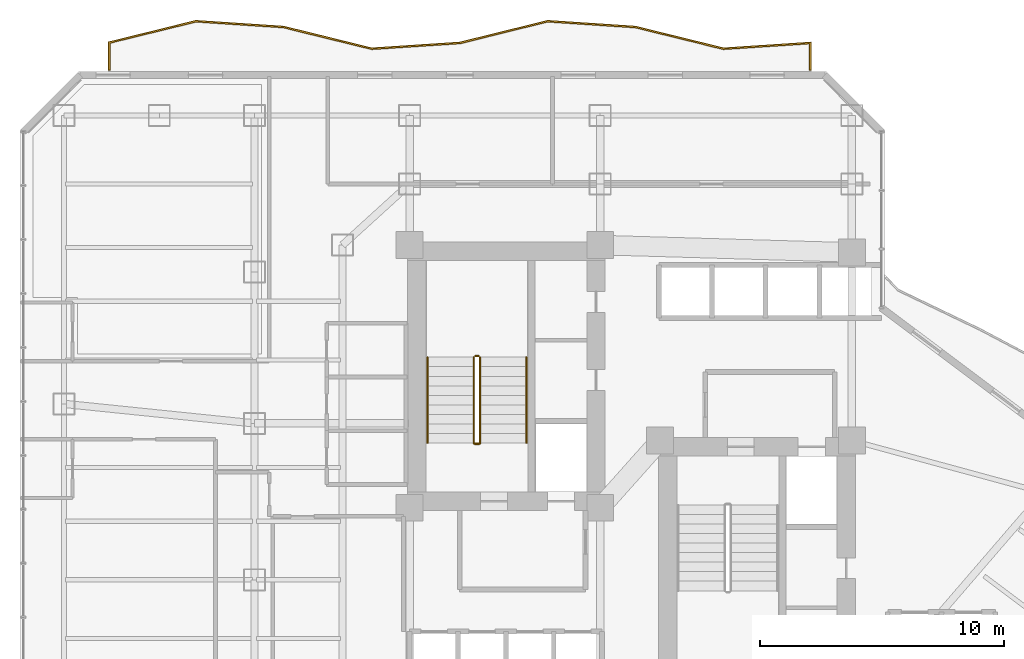
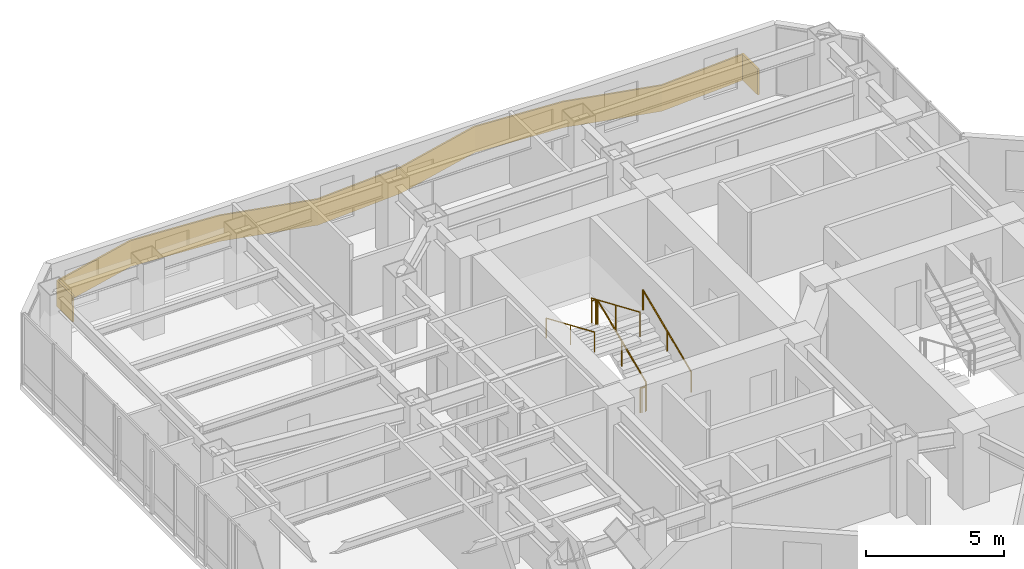
# One storey, part 30 of 31: 8 railings.
"""IFC4 building model written with IfcOpenShell, lengths in metres."""

from ifc_helpers import new_model, si_unit, direction, frame, origin, origin_2d, place, context, subcontext, project, spatial, polyline, circle, outline, extrude, material, layer, layer_set, type_object, element, save


model = new_model("IFC4")

# Units and contexts
model_context = context("Model", 3, precision=1e-05, world=origin(), true_north=direction((0.0, 1.0)))
body_context = subcontext(model_context, "Body", "Model", "MODEL_VIEW")
ifc_project = project(units=[si_unit("LENGTHUNIT", "METRE"), si_unit("AREAUNIT", "SQUARE_METRE"), si_unit("VOLUMEUNIT", "CUBIC_METRE"), si_unit("PLANEANGLEUNIT", "RADIAN"), si_unit("MASSUNIT", "GRAM", prefix="KILO")], contexts=[model_context])

# Site, building, storey
site_placement = place(None, origin())
site = spatial("IfcSite", under=ifc_project, at=site_placement, CompositionType="ELEMENT")
building_placement = place(site_placement, origin())
building = spatial("IfcBuilding", under=site, at=building_placement, Name="Hatsunagi Terrace Concourse", CompositionType="ELEMENT")
storey_placement = place(building_placement, frame((0.0, 0.0, 77.949951171875)))
storey = spatial("IfcBuildingStorey", under=building, at=storey_placement, Name="L20", CompositionType="ELEMENT", Elevation=77.949951171875)

# Railings
ifc_material_1 = material(Name="Laminated Glass and Stainless Steel Guard", Category="steel")
ifc_layer_1 = layer(ifc_material_1, 0.070068359375)
ifc_layer_set_1 = layer_set([ifc_layer_1], Name="BalconyGlassGuardRail_1150")
railing_type_1 = type_object("IfcRailingType", Name="BalconyGlassGuardRail_1150", PredefinedType="BALUSTRADE", material=ifc_layer_set_1)
railing_1_placement = place(storey_placement, origin())
element("IfcRailing", 1, at=railing_1_placement, inside=storey, type_object=railing_type_1, Name="Engawa Balcony Guard GRD-01 L20-BN-1", PredefinedType="BALUSTRADE", context=body_context, shape_type="SweptSolid", body=[
    extrude(outline(polyline([(13.215087890625, 50.449951171875), (13.284912109375, 50.449951171875), (13.284912109375, 51.55859375), (16.80712890625, 52.427734375), (20.38671875, 52.190185546875), (23.992919921875, 51.3017578125), (27.61328125, 51.540283203125), (31.20703125, 52.427734375), (34.78662109375, 52.190185546875), (38.392822265625, 51.3017578125), (41.9150390625, 51.53466796875), (41.9150390625, 50.449951171875), (41.985107421875, 50.449951171875), (41.985107421875, 51.609375), (38.399169921875, 51.372314453125), (34.79736328125, 52.259765625), (31.200927734375, 52.498291015625), (27.6025390625, 51.609619140625), (23.9990234375, 51.372314453125), (20.3974609375, 52.259765625), (16.80078125, 52.498291015625), (13.215087890625, 51.61328125), (13.215087890625, 50.449951171875)])), origin(), (0.0, 0.0, 1.0), 1.150146484375),
])
ifc_material_2 = material(Name="Stainless steel", Category="steel")
ifc_layer_2 = layer(ifc_material_2, 0.044921875)
ifc_layer_set_2 = layer_set([ifc_layer_2], Name="StairPitchHandrail_Tower2000")
railing_type_2 = type_object("IfcRailingType", Name="StairPitchHandrail_Tower2000", PredefinedType="HANDRAIL", material=ifc_layer_set_2)
railing_2_placement = place(storey_placement, frame((30.330078125, 35.199951171875, 0.16748046875)))
element("IfcRailing", 2, at=railing_2_placement, inside=storey, type_object=railing_type_2, Name="L20 ST-A stair handrail 1", PredefinedType="HANDRAIL", context=body_context, shape_type="SweptSolid", body=[
    extrude(circle(Radius=0.02392578125, at=origin_2d()), frame((0.0, 0.0, 0.8759765625), z_axis=(0.0, 0.918834009242, 0.394644223904), x_axis=(-1.0, 0.0, 0.0)), (0.0, 0.0, 1.0), 3.820068359375),
    extrude(circle(Radius=0.02099609375, at=origin_2d()), origin(), (0.0, 0.0, 1.0), 0.851806640625),
    extrude(circle(Radius=0.02099609375, at=origin_2d()), frame((0.0, 1.7548828125, 0.75390625)), (0.0, 0.0, 1.0), 0.851806640625),
    extrude(circle(Radius=0.02099609375, at=origin_2d()), frame((0.0, 3.510009765625, 1.507568359375)), (0.0, 0.0, 1.0), 0.851806640625),
])
railing_3_placement = place(storey_placement, frame((26.280029296875, 38.7099609375, 1.842529296875)))
element("IfcRailing", 3, at=railing_3_placement, inside=storey, type_object=railing_type_2, Name="L20 ST-A stair handrail 2", PredefinedType="HANDRAIL", context=body_context, shape_type="SweptSolid", body=[
    extrude(circle(Radius=0.02392578125, at=origin_2d()), frame((0.0, 0.0, 0.8759765625), z_axis=(0.0, -0.918834009242, 0.394644223904), x_axis=(1.0, 0.0, 0.0)), (0.0, 0.0, 1.0), 3.820068359375),
    extrude(circle(Radius=0.02099609375, at=origin_2d()), origin(), (0.0, 0.0, 1.0), 0.851806640625),
    extrude(circle(Radius=0.02099609375, at=origin_2d()), frame((0.0, -1.7548828125, 0.75390625)), (0.0, 0.0, 1.0), 0.851806640625),
    extrude(circle(Radius=0.02099609375, at=origin_2d()), frame((0.0, -3.510009765625, 1.507568359375)), (0.0, 0.0, 1.0), 0.851806640625),
])
ifc_material_3 = material(Name="Stainless steel", Category="steel")
ifc_layer_3 = layer(ifc_material_3, 0.06005859375)
ifc_layer_set_3 = layer_set([ifc_layer_3], Name="StairWellGuard_Tower2000")
railing_type_3 = type_object("IfcRailingType", Name="StairWellGuard_Tower2000", PredefinedType="BALUSTRADE", material=ifc_layer_set_3)
railing_4_placement = place(storey_placement, frame((28.429931640625, 35.199951171875, 0.16748046875)))
element("IfcRailing", 4, at=railing_4_placement, inside=storey, type_object=railing_type_3, Name="L20 ST-A stair guard 1", PredefinedType="BALUSTRADE", context=body_context, shape_type="SweptSolid", body=[
    extrude(circle(Radius=0.02392578125, at=origin_2d()), frame((0.0, 0.0, 1.09619140625), z_axis=(0.0, 0.918834009242, 0.394644223904), x_axis=(-1.0, 0.0, 0.0)), (0.0, 0.0, 1.0), 3.820068359375),
    extrude(circle(Radius=0.02099609375, at=origin_2d()), origin(), (0.0, 0.0, 1.0), 1.072021484375),
    extrude(circle(Radius=0.02099609375, at=origin_2d()), frame((0.0, 1.7548828125, 0.75390625)), (0.0, 0.0, 1.0), 1.072021484375),
    extrude(circle(Radius=0.02099609375, at=origin_2d()), frame((0.0, 3.510009765625, 1.507568359375)), (0.0, 0.0, 1.0), 1.072021484375),
])
railing_5_placement = place(storey_placement, frame((28.3798828125, 38.760009765625, 1.675048828125)))
element("IfcRailing", 5, at=railing_5_placement, inside=storey, type_object=railing_type_3, Name="L20 ST-A stair guard 2", PredefinedType="BALUSTRADE", context=body_context, shape_type="SweptSolid", body=[
    extrude(circle(Radius=0.02392578125, at=origin_2d()), frame((0.0, 0.0, 1.09619140625), z_axis=(-1.0, 0.0, 0.0), x_axis=(0.0, -1.0, 0.0)), (0.0, 0.0, 1.0), 0.14990234375),
    extrude(circle(Radius=0.02099609375, at=origin_2d()), origin(), (0.0, 0.0, 1.0), 1.072021484375),
    extrude(circle(Radius=0.02099609375, at=origin_2d()), frame((-0.14990234375, 0.0, 0.0)), (0.0, 0.0, 1.0), 1.072021484375),
])
railing_6_placement = place(storey_placement, frame((28.179931640625, 38.7099609375, 1.842529296875)))
element("IfcRailing", 6, at=railing_6_placement, inside=storey, type_object=railing_type_3, Name="L20 ST-A stair guard 3", PredefinedType="BALUSTRADE", context=body_context, shape_type="SweptSolid", body=[
    extrude(circle(Radius=0.02392578125, at=origin_2d()), frame((0.0, 0.0, 1.09619140625), z_axis=(0.0, -0.918834009242, 0.394644223904), x_axis=(1.0, 0.0, 0.0)), (0.0, 0.0, 1.0), 3.820068359375),
    extrude(circle(Radius=0.02099609375, at=origin_2d()), origin(), (0.0, 0.0, 1.0), 1.072021484375),
    extrude(circle(Radius=0.02099609375, at=origin_2d()), frame((0.0, -1.7548828125, 0.75390625)), (0.0, 0.0, 1.0), 1.072021484375),
    extrude(circle(Radius=0.02099609375, at=origin_2d()), frame((0.0, -3.510009765625, 1.507568359375)), (0.0, 0.0, 1.0), 1.072021484375),
])
railing_7_placement = place(storey_placement, frame((28.3798828125, 35.14990234375, 0.0)))
element("IfcRailing", 7, at=railing_7_placement, inside=storey, type_object=railing_type_3, Name="L20 ST-A stair guard 4", PredefinedType="BALUSTRADE", context=body_context, shape_type="SweptSolid", body=[
    extrude(circle(Radius=0.02392578125, at=origin_2d()), frame((0.0, 0.0, 1.09619140625), z_axis=(-1.0, 0.0, 0.0), x_axis=(0.0, -1.0, 0.0)), (0.0, 0.0, 1.0), 0.14990234375),
    extrude(circle(Radius=0.02099609375, at=origin_2d()), origin(), (0.0, 0.0, 1.0), 1.072021484375),
    extrude(circle(Radius=0.02099609375, at=origin_2d()), frame((-0.14990234375, 0.0, 0.0)), (0.0, 0.0, 1.0), 1.072021484375),
])
ifc_material_4 = material(Name="Stainless Steel SUS316 Post-and-Rail Guard", Category="steel")
ifc_layer_4 = layer(ifc_material_4, 0.080078125)
ifc_layer_set_4 = layer_set([ifc_layer_4], Name="TerracePlantedGuardRail_1200")
railing_type_4 = type_object("IfcRailingType", Name="TerracePlantedGuardRail_1200", PredefinedType="GUARDRAIL", material=ifc_layer_set_4)
railing_8_placement = place(storey_placement, frame((28.179931640625, 35.179931640625, 0.0)))
element("IfcRailing", 8, at=railing_8_placement, inside=storey, type_object=railing_type_4, Name="Stair ST-A Well Closure Guard L20", PredefinedType="GUARDRAIL", context=body_context, shape_type="SweptSolid", body=[
    extrude(circle(Radius=0.02392578125, at=origin_2d()), frame((0.0, 0.0, 1.09619140625), z_axis=(1.0, 0.0, 0.0), x_axis=(0.0, 1.0, 0.0)), (0.0, 0.0, 1.0), 0.25),
    extrude(circle(Radius=0.02099609375, at=origin_2d()), origin(), (0.0, 0.0, 1.0), 1.072021484375),
    extrude(circle(Radius=0.02099609375, at=origin_2d()), frame((0.25, 0.0, 0.0)), (0.0, 0.0, 1.0), 1.072021484375),
])

save(model, "model.ifc")
